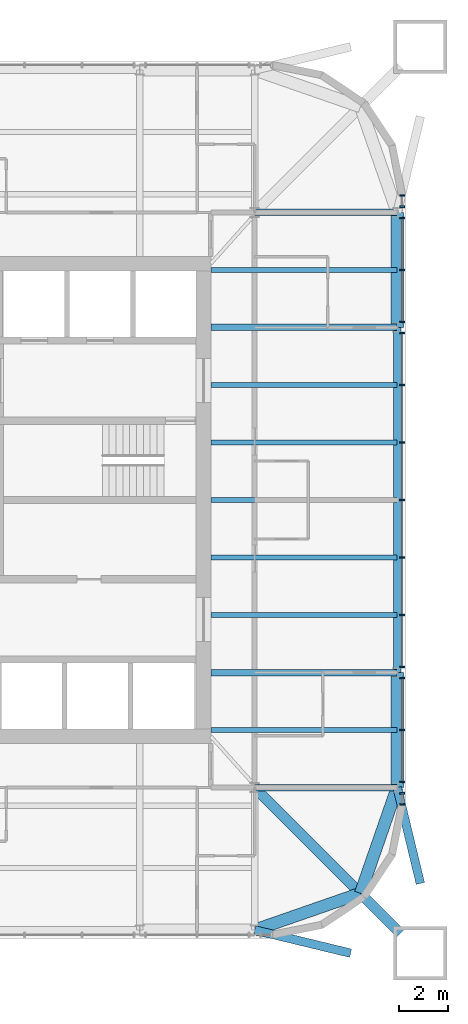
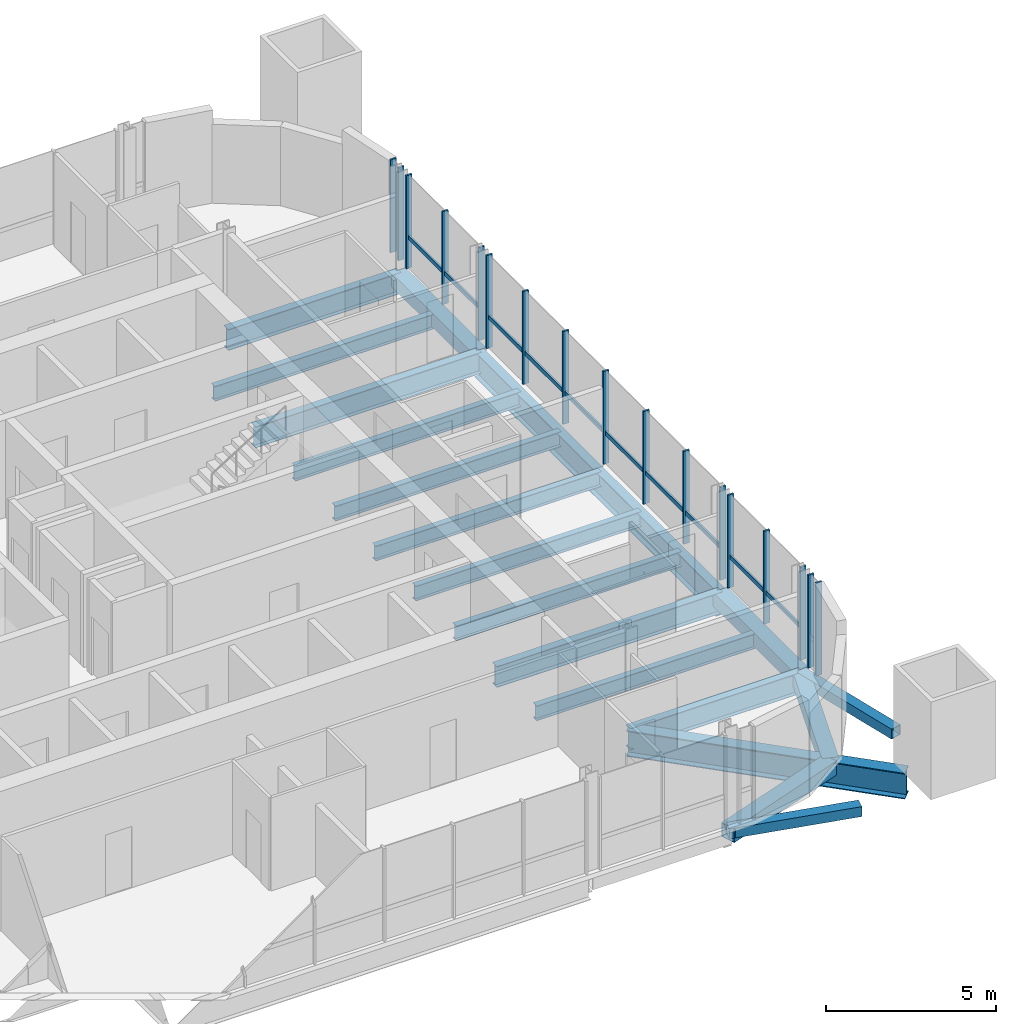
# One storey, part 4 of 16: 27 members, 19 beams, 5 elements without a shape of their own.
"""IFC4 building model written with IfcOpenShell, lengths in metres."""

import ifcopenshell
import ifcopenshell.guid

model = None  # the IFC model being written
_history = None  # IfcOwnerHistory: only IFC2X3 demands one
_inside = {}  # id of a spatial element -> (the spatial element, [elements in it])
_under = {}  # id of a project, library or spatial element -> (it, [spatial elements below it])
_declared = {}  # id of a project -> (the project, [libraries it declares])
_typed = {}  # id of a type object -> (the type object, [elements of that type])
_made_of = {}  # id of a material, layer set ... -> (it, [elements and type objects made of it])


def new_model(schema):
    """Start an empty IFC model of exactly this schema.

    Asked for "IFC4X3", IfcOpenShell would pick the latest addendum, in which some entities
    have other attributes; the version numbers below select the first issue.
    IFC2X3 requires an IfcOwnerHistory on every rooted entity: one is made here for all.
    """
    global model, _history
    if schema == "IFC4X3":
        model = ifcopenshell.file(schema_version=(4, 3, 0, 0))
    else:
        model = ifcopenshell.file(schema=schema)
    _inside.clear()
    _under.clear()
    _declared.clear()
    _typed.clear()
    _made_of.clear()
    _history = None
    if model.schema == "IFC2X3":
        org = make("IfcOrganization", Name="unknown")
        user = make(
            "IfcPersonAndOrganization",
            ThePerson=make("IfcPerson", FamilyName="unknown"),
            TheOrganization=org,
        )
        app = make(
            "IfcApplication",
            ApplicationDeveloper=org,
            Version="unknown",
            ApplicationFullName="unknown",
            ApplicationIdentifier="unknown",
        )
        _history = make(
            "IfcOwnerHistory",
            OwningUser=user,
            OwningApplication=app,
            ChangeAction="ADDED",
            CreationDate=0,
        )
    return model


def make(cls, **values):
    """One entity of the class cls with the attributes given. An attribute that is None is left unset."""
    return model.create_entity(
        cls, **{name: value for name, value in values.items() if value is not None}
    )


def rooted(cls, **values):
    """An entity with a GlobalId (a new one), such as an element, a storey or a relation."""
    return make(cls, GlobalId=ifcopenshell.guid.new(), OwnerHistory=_history, **values)


def si_unit(unit_type, name, prefix=None):
    """IfcSIUnit, for example si_unit("LENGTHUNIT", "METRE", prefix="MILLI")."""
    return make("IfcSIUnit", UnitType=unit_type, Prefix=prefix, Name=name)


def assignment(units):
    """IfcUnitAssignment: the units of a project."""
    return None if units is None else make("IfcUnitAssignment", Units=units)


def point(xyz):
    """IfcCartesianPoint."""
    return None if xyz is None else make("IfcCartesianPoint", Coordinates=xyz)


def direction(xyz):
    """IfcDirection."""
    return None if xyz is None else make("IfcDirection", DirectionRatios=xyz)


def frame(location, z_axis=None, x_axis=None):
    """IfcAxis2Placement3D, a coordinate frame: its origin and axes. An axis left out is left unset."""
    return make(
        "IfcAxis2Placement3D",
        Location=point(location),
        Axis=direction(z_axis),
        RefDirection=direction(x_axis),
    )


def frame_2d(location, x_axis=None):
    """IfcAxis2Placement2D, a coordinate frame in the plane: its origin and x axis."""
    return make(
        "IfcAxis2Placement2D", Location=point(location), RefDirection=direction(x_axis)
    )


def origin():
    """The frame at (0, 0, 0) with its axes left unset."""
    return frame((0.0, 0.0, 0.0))


def origin_2d():
    """The frame at (0, 0) in the plane with its x axis left unset."""
    return frame_2d((0.0, 0.0))


def place(relative_to, where):
    """IfcLocalPlacement: puts the frame where relative to a parent placement (None: the world)."""
    return make(
        "IfcLocalPlacement", PlacementRelTo=relative_to, RelativePlacement=where
    )


def context(
    kind, dimensions, precision=None, world=None, true_north=None, identifier=None
):
    """IfcGeometricRepresentationContext, for example the 3D "Model" context."""
    return make(
        "IfcGeometricRepresentationContext",
        ContextIdentifier=identifier,
        ContextType=kind,
        CoordinateSpaceDimension=dimensions,
        Precision=precision,
        WorldCoordinateSystem=world,
        TrueNorth=true_north,
    )


def subcontext(parent, identifier, kind, view, scale=None):
    """IfcGeometricRepresentationSubContext, for example "Body" below "Model"."""
    return make(
        "IfcGeometricRepresentationSubContext",
        ContextIdentifier=identifier,
        ContextType=kind,
        ParentContext=parent,
        TargetScale=scale,
        TargetView=view,
    )


def project(units=None, contexts=None):
    """IfcProject with its units and contexts."""
    return rooted(
        "IfcProject",
        Name="project",
        RepresentationContexts=contexts,
        UnitsInContext=assignment(units),
    )


def spatial(cls, under=None, at=None, **own):
    """A site, building, storey or space (cls), placed at a placement, below another one or the project."""
    s = rooted(cls, ObjectPlacement=at, **own)
    if under is not None:
        _under.setdefault(under.id(), (under, []))[1].append(s)
    return s


def profile(cls, at=None, kind="AREA", **sizes):
    """A parametric profile (cls). Its sizes go by their IFC names, for example OverallWidth=200.0."""
    return make(cls, ProfileType=kind, Position=at, **sizes)


def rectangle(**sizes):
    """IfcRectangleProfileDef."""
    return profile("IfcRectangleProfileDef", **sizes)


def hollow_rectangle(**sizes):
    """IfcRectangleHollowProfileDef."""
    return profile("IfcRectangleHollowProfileDef", **sizes)


def i_section(**sizes):
    """IfcIShapeProfileDef."""
    return profile("IfcIShapeProfileDef", **sizes)


def extrude(swept, where, along, depth):
    """IfcExtrudedAreaSolid: the profile swept, set in the frame where, extruded along a direction by depth."""
    return make(
        "IfcExtrudedAreaSolid",
        SweptArea=swept,
        Position=where,
        ExtrudedDirection=direction(along),
        Depth=depth,
    )


def shape(context_of_items, identifier, shape_type, items):
    """IfcShapeRepresentation: the items that make up one representation, for example the "Body"."""
    return make(
        "IfcShapeRepresentation",
        ContextOfItems=context_of_items,
        RepresentationIdentifier=identifier,
        RepresentationType=shape_type,
        Items=items,
    )


def material(Name=None, Category=None):
    """IfcMaterial."""
    return make("IfcMaterial", Name=Name, Category=Category)


def material_profile(
    of_material, cross_section, Name=None, Category=None, Priority=None
):
    """IfcMaterialProfile: a cross section and its material."""
    return make(
        "IfcMaterialProfile",
        Name=Name,
        Material=of_material,
        Profile=cross_section,
        Priority=Priority,
        Category=Category,
    )


def profile_set(profiles, Name=None, composite=None):
    """IfcMaterialProfileSet."""
    return make(
        "IfcMaterialProfileSet",
        Name=Name,
        MaterialProfiles=profiles,
        CompositeProfile=composite,
    )


def made_of(thing, what):
    """Note that an element or type object is made of a material, layer set ...; save() writes the relation."""
    if what is not None:
        _made_of.setdefault(what.id(), (what, []))[1].append(thing)
    return thing


def type_object(cls, material=None, **own):
    """A type object (cls), such as IfcWallType, which elements share."""
    return made_of(rooted(cls, **own), material)


def element(
    cls,
    number,
    at=None,
    inside=None,
    cuts=None,
    type_object=None,
    material=None,
    context=None,
    identifier="Body",
    shape_type=None,
    held_by="IfcProductDefinitionShape",
    body=None,
    shapes=None,
    **own,
):
    """One element of the class cls, such as IfcWall. Its Tag is "e" and its number.

    at: its placement. inside: the storey or other place that contains it. cuts: it is an
    opening in that element (IfcRelVoidsElement). A single representation is given by context,
    identifier, shape_type and body (its items); several are given by shapes. held_by: the class
    of the entity that holds the representations. save() writes the other relations.
    """
    e = rooted(cls, Tag="e%d" % number, ObjectPlacement=at, **own)
    if body is not None:
        shapes = [shape(context, identifier, shape_type, body)]
    if shapes is not None:
        e.Representation = make(held_by, Representations=shapes)
    if inside is not None:
        _inside.setdefault(inside.id(), (inside, []))[1].append(e)
    if cuts is not None:
        rooted(
            "IfcRelVoidsElement", RelatingBuildingElement=cuts, RelatedOpeningElement=e
        )
    if type_object is not None:
        _typed.setdefault(type_object.id(), (type_object, []))[1].append(e)
    return made_of(e, material)


def aggregate(whole, parts):
    """IfcRelAggregates: a whole, such as a stair, and the parts it consists of."""
    return rooted("IfcRelAggregates", RelatingObject=whole, RelatedObjects=parts)


def save(model, path):
    """Write the relations noted so far, then the file.

    IfcRelAggregates (storeys below a building ...), IfcRelContainedInSpatialStructure (elements
    in a storey), IfcRelDefinesByType, IfcRelAssociatesMaterial and IfcRelDeclares: one each for
    every whole, place, type object, material and project.
    """
    for whole, parts in _under.values():
        aggregate(whole, parts)
    for where, things in _inside.values():
        rooted(
            "IfcRelContainedInSpatialStructure",
            RelatedElements=things,
            RelatingStructure=where,
        )
    for kind, things in _typed.values():
        rooted("IfcRelDefinesByType", RelatedObjects=things, RelatingType=kind)
    for what, things in _made_of.values():
        rooted("IfcRelAssociatesMaterial", RelatedObjects=things, RelatingMaterial=what)
    for by, libraries in _declared.values():
        rooted("IfcRelDeclares", RelatingContext=by, RelatedDefinitions=libraries)
    model.write(path)


model = new_model("IFC4")

# Units and contexts
model_context = context("Model", 3, precision=1e-05, world=origin(), true_north=direction((0.0, 1.0)))
body_context = subcontext(model_context, "Body", "Model", "MODEL_VIEW")
ifc_project = project(units=[si_unit("LENGTHUNIT", "METRE"), si_unit("AREAUNIT", "SQUARE_METRE"), si_unit("VOLUMEUNIT", "CUBIC_METRE"), si_unit("PLANEANGLEUNIT", "RADIAN"), si_unit("MASSUNIT", "GRAM", prefix="KILO")], contexts=[model_context])

# Site, building, storey
site_placement = place(None, origin())
site = spatial("IfcSite", under=ifc_project, at=site_placement, CompositionType="ELEMENT")
building_placement = place(site_placement, origin())
building = spatial("IfcBuilding", under=site, at=building_placement, Name="Turquesa Mirador Hotel Tower", CompositionType="ELEMENT")
storey_placement = place(building_placement, frame((0.0, 0.0, 230.199951171875)))
storey = spatial("IfcBuildingStorey", under=building, at=storey_placement, Name="L62", CompositionType="ELEMENT", Elevation=230.199951171875)

# Beams
ifc_material_1 = material(Name="Steel ASTM A572 Grade 50", Category="steel")
ifc_material_profile_1 = material_profile(ifc_material_1, hollow_rectangle(XDim=0.5, YDim=0.5, WallThickness=0.01611328125, at=origin_2d()), Name="BOX500X500X16")
ifc_profile_set_1 = profile_set([ifc_material_profile_1], Name="Steel ASTM A572 Grade 50")
beam_type_1 = type_object("IfcBeamType", Name="BEAM BOX500X500X16", PredefinedType="BEAM", material=ifc_profile_set_1)
for number, where, z_axis, x_axis, name in (
    (1, (72.64990234375, 33.199951171875, -0.419921875), (0.0, 1.0, 0.0), (-1.0, 0.0, 0.0), "EB-L62-E-L"),
    (2, (72.64990234375, 52.080078125, -0.419921875), (0.0, 1.0, 0.0), (-1.0, 0.0, 0.0), "EB-L62-E-R"),
):
    element("IfcBeam", number, at=place(storey_placement, frame(where, z_axis=z_axis, x_axis=x_axis)), inside=storey, type_object=beam_type_1, Name=name, PredefinedType="BEAM", context=body_context, shape_type="SweptSolid", body=[
        extrude(hollow_rectangle(XDim=0.5, YDim=0.5, WallThickness=0.01611328125, at=origin_2d()), origin(), (0.0, 0.0, 1.0), 4.719970703125),
    ])
for number, where, z_axis, x_axis, name in (
    (3, (72.64990234375, 33.199951171875, -0.419921875), (-0.328170356092, -0.944618556552, 0.0), (0.944618556552, -0.328170356092, 0.0), "KE-L62-4-0"),
    (4, (71.1416015625, 28.8583984375, -0.419921875), (-0.944618556552, -0.328170356092, 0.0), (0.328170356092, -0.944618556552, 0.0), "KE-L62-4-1"),
):
    element("IfcBeam", number, at=place(storey_placement, frame(where, z_axis=z_axis, x_axis=x_axis)), inside=storey, type_object=beam_type_1, Name=name, PredefinedType="BEAM", context=body_context, shape_type="SweptSolid", body=[
        extrude(hollow_rectangle(XDim=0.5, YDim=0.5, WallThickness=0.01611328125, at=origin_2d()), origin(), (0.0, 0.0, 1.0), 4.59619140625),
    ])
ifc_material_2 = material(Name="Steel ASTM A992 Grade 50", Category="steel")
ifc_material_profile_2 = material_profile(ifc_material_2, i_section(OverallWidth=0.209228515625, OverallDepth=0.533447265625, WebThickness=0.01025390625, FlangeThickness=0.015625, at=origin_2d()), Name="W21X62")
ifc_profile_set_2 = profile_set([ifc_material_profile_2], Name="Steel ASTM A992 Grade 50")
beam_type_2 = type_object("IfcBeamType", Name="BEAM W21X62", PredefinedType="BEAM", material=ifc_profile_set_2)
for number, where, z_axis, x_axis, name in (
    (5, (72.64990234375, 35.56005859375, -0.436767578125), (-1.0, 0.0, 0.0), (0.0, -1.0, 0.0), "BM-L62-E--9.44"),
    (6, (72.64990234375, 40.280029296875, -0.436767578125), (-1.0, 0.0, 0.0), (0.0, -1.0, 0.0), "BM-L62-E--4.72"),
    (7, (72.64990234375, 42.639892578125, -0.436767578125), (-1.0, 0.0, 0.0), (0.0, -1.0, 0.0), "BM-L62-E--2.36"),
    (8, (72.64990234375, 45.0, -0.436767578125), (-1.0, 0.0, 0.0), (0.0, -1.0, 0.0), "BM-L62-E-+0.00"),
    (9, (72.64990234375, 47.360107421875, -0.436767578125), (-1.0, 0.0, 0.0), (0.0, -1.0, 0.0), "BM-L62-E-+2.36"),
    (10, (72.64990234375, 49.719970703125, -0.436767578125), (-1.0, 0.0, 0.0), (0.0, -1.0, 0.0), "BM-L62-E-+4.72"),
    (11, (72.64990234375, 54.43994140625, -0.436767578125), (-1.0, 0.0, 0.0), (0.0, -1.0, 0.0), "BM-L62-E-+9.44"),
):
    element("IfcBeam", number, at=place(storey_placement, frame(where, z_axis=z_axis, x_axis=x_axis)), inside=storey, type_object=beam_type_2, Name=name, PredefinedType="BEAM", context=body_context, shape_type="SweptSolid", body=[
        extrude(i_section(OverallWidth=0.209228515625, OverallDepth=0.533447265625, WebThickness=0.01025390625, FlangeThickness=0.015625, at=origin_2d()), origin(), (0.0, 0.0, 1.0), 7.64990234375),
    ])
ifc_material_3 = material(Name="Steel ASTM A992 Grade 50", Category="steel")
ifc_material_profile_3 = material_profile(ifc_material_3, i_section(OverallWidth=0.2666015625, OverallDepth=0.7568359375, WebThickness=0.013916015625, FlangeThickness=0.019287109375, at=origin_2d()), Name="W30X108")
ifc_profile_set_3 = profile_set([ifc_material_profile_3], Name="Steel ASTM A992 Grade 50")
beam_type_3 = type_object("IfcBeamType", Name="BEAM W30X108", PredefinedType="BEAM", material=ifc_profile_set_3)
for number, where, z_axis, x_axis, name in (
    (12, (72.64990234375, 37.919921875, -0.54833984375), (-1.0, 0.0, 0.0), (0.0, -1.0, 0.0), "GD-L62-E--7.08"),
    (13, (72.64990234375, 52.080078125, -0.54833984375), (-1.0, 0.0, 0.0), (0.0, -1.0, 0.0), "GD-L62-E-+7.08"),
):
    element("IfcBeam", number, at=place(storey_placement, frame(where, z_axis=z_axis, x_axis=x_axis)), inside=storey, type_object=beam_type_3, Name=name, PredefinedType="BEAM", context=body_context, shape_type="SweptSolid", body=[
        extrude(i_section(OverallWidth=0.2666015625, OverallDepth=0.7568359375, WebThickness=0.013916015625, FlangeThickness=0.019287109375, at=origin_2d()), origin(), (0.0, 0.0, 1.0), 7.64990234375),
    ])
for number, where, z_axis, x_axis, name in (
    (14, (72.64990234375, 33.199951171875, -0.54833984375), (-1.0, 0.0, 0.0), (0.0, -1.0, 0.0), "GK-L62-E--11.80"),
    (15, (72.64990234375, 56.800048828125, -0.54833984375), (-1.0, 0.0, 0.0), (0.0, -1.0, 0.0), "GK-L62-E-+11.80"),
):
    element("IfcBeam", number, at=place(storey_placement, frame(where, z_axis=z_axis, x_axis=x_axis)), inside=storey, type_object=beam_type_3, Name=name, PredefinedType="BEAM", context=body_context, shape_type="SweptSolid", body=[
        extrude(i_section(OverallWidth=0.2666015625, OverallDepth=0.7568359375, WebThickness=0.013916015625, FlangeThickness=0.019287109375, at=origin_2d()), origin(), (0.0, 0.0, 1.0), 5.849853515625),
    ])
ifc_material_4 = material(Name="Steel ASTM A992 Grade 50", Category="steel")
ifc_material_profile_4 = material_profile(ifc_material_4, i_section(OverallWidth=0.3046875, OverallDepth=0.911865234375, WebThickness=0.015869140625, FlangeThickness=0.02392578125, at=origin_2d()), Name="W36X150")
ifc_profile_set_4 = profile_set([ifc_material_profile_4], Name="Steel ASTM A992 Grade 50")
beam_type_4 = type_object("IfcBeamType", Name="BEAM W36X150", PredefinedType="BEAM", material=ifc_profile_set_4)
beam_1_placement = place(storey_placement, frame((72.64990234375, 37.919921875, -0.6259765625), z_axis=(0.0, 1.0, 0.0), x_axis=(-1.0, 0.0, 0.0)))
element("IfcBeam", 16, at=beam_1_placement, inside=storey, type_object=beam_type_4, Name="EB-L62-E-C", PredefinedType="BEAM", context=body_context, shape_type="SweptSolid", body=[
    extrude(i_section(OverallWidth=0.3046875, OverallDepth=0.911865234375, WebThickness=0.015869140625, FlangeThickness=0.02392578125, at=origin_2d()), origin(), (0.0, 0.0, 1.0), 14.16015625),
])
ifc_material_5 = material(Name="Steel ASTM A992 Grade 50", Category="steel")
ifc_material_profile_5 = material_profile(ifc_material_5, i_section(OverallWidth=0.419189453125, OverallDepth=0.927001953125, WebThickness=0.019287109375, FlangeThickness=0.031982421875, at=origin_2d()), Name="W36X231")
ifc_profile_set_5 = profile_set([ifc_material_profile_5], Name="Steel ASTM A992 Grade 50")
beam_type_5 = type_object("IfcBeamType", Name="BEAM W36X231", PredefinedType="BEAM", material=ifc_profile_set_5)
beam_2_placement = place(storey_placement, frame((66.800048828125, 33.199951171875, -0.633544921875), z_axis=(0.707106781187, -0.707106781187, 0.0), x_axis=(0.707106781187, 0.707106781187, 0.0)))
element("IfcBeam", 17, at=beam_2_placement, inside=storey, type_object=beam_type_5, Name="KD-L62-4", PredefinedType="BEAM", context=body_context, shape_type="SweptSolid", body=[
    extrude(i_section(OverallWidth=0.419189453125, OverallDepth=0.927001953125, WebThickness=0.019287109375, FlangeThickness=0.031982421875, at=origin_2d()), origin(), (0.0, 0.0, 1.0), 8.46240234375),
])
ifc_material_6 = material(Name="Steel ASTM A500 Grade C", Category="steel")
ifc_material_profile_6 = material_profile(ifc_material_6, hollow_rectangle(XDim=0.355712890625, YDim=0.355712890625, WallThickness=0.0146484375, at=origin_2d()), Name="HSS14X14X5/8")
ifc_profile_set_6 = profile_set([ifc_material_profile_6], Name="Steel ASTM A500 Grade C")
beam_type_6 = type_object("IfcBeamType", Name="BRACE STRUT HSS14X14X5/8", PredefinedType="BEAM", material=ifc_profile_set_6)
for number, where, z_axis, x_axis, name in (
    (18, (70.738525390625, 26.39990234375, -0.34765625), (-0.972108743685, 0.234530574661, 0.0), (-0.234530574661, -0.972108743685, 0.0), "Brace strut"),
    (19, (73.60009765625, 29.261474609375, -0.34765625), (-0.234530574661, 0.972108743685, 0.0), (-0.972108743685, -0.234530574661, 0.0), "Brace strut"),
):
    element("IfcBeam", number, at=place(storey_placement, frame(where, z_axis=z_axis, x_axis=x_axis)), inside=storey, type_object=beam_type_6, Name=name, PredefinedType="BEAM", context=body_context, shape_type="SweptSolid", body=[
        extrude(hollow_rectangle(XDim=0.355712890625, YDim=0.355712890625, WallThickness=0.0146484375, at=origin_2d()), origin(), (0.0, 0.0, 1.0), 4.051513671875),
    ])

# Curtain wall, members
ifc_material_7 = material(Name="Aluminium extrusion", Category="aluminium")
curtain_wall_type = type_object("IfcCurtainWallType", Name="CW-4 SUITE FRITTED CURTAIN WALL", PredefinedType="USERDEFINED", material=ifc_material_7)
curtain_wall_1_placement = place(storey_placement, origin())
curtain_wall_1 = element("IfcCurtainWall", 20, at=curtain_wall_1_placement, inside=storey, type_object=curtain_wall_type, Name="CW-4 SUITE FRITTED CURTAIN WALL L62", ObjectType="CURTAIN WALL", PredefinedType="USERDEFINED")
ifc_material_8 = material(Name="Aluminium extrusion", Category="aluminium")
ifc_material_profile_7 = material_profile(ifc_material_8, rectangle(XDim=0.06494140625, YDim=0.199951171875, at=origin_2d()), Name="MULLION 65X200")
ifc_profile_set_7 = profile_set([ifc_material_profile_7], Name="Aluminium extrusion")
member_type_1 = type_object("IfcMemberType", Name="CW MULLION 65X200", PredefinedType="MULLION", material=ifc_profile_set_7)
member_1_placement = place(storey_placement, frame((72.85009765625, 32.5, 0.0), z_axis=(0.0, 0.0, 1.0), x_axis=(0.0, 1.0, 0.0)))
member_1 = element("IfcMember", 21, at=member_1_placement, type_object=member_type_1, Name="Mullion", PredefinedType="MULLION", context=body_context, shape_type="SweptSolid", body=[
    extrude(rectangle(XDim=0.06494140625, YDim=0.199951171875, at=origin_2d()), origin(), (0.0, 0.0, 1.0), 3.330078125),
])
member_2_placement = place(storey_placement, frame((72.85009765625, 32.966064453125, 0.0), z_axis=(0.0, 0.0, 1.0), x_axis=(0.0, 1.0, 0.0)))
member_2 = element("IfcMember", 22, at=member_2_placement, type_object=member_type_1, Name="Mullion", PredefinedType="MULLION", context=body_context, shape_type="SweptSolid", body=[
    extrude(rectangle(XDim=0.06494140625, YDim=0.199951171875, at=origin_2d()), origin(), (0.0, 0.0, 1.0), 3.330078125),
])
aggregate(curtain_wall_1, [member_1, member_2])

curtain_wall_2_placement = place(storey_placement, origin())
curtain_wall_2 = element("IfcCurtainWall", 23, at=curtain_wall_2_placement, inside=storey, type_object=curtain_wall_type, Name="CW-4 SUITE FRITTED CURTAIN WALL L62", ObjectType="CURTAIN WALL", PredefinedType="USERDEFINED")
member_3_placement = place(storey_placement, frame((72.85009765625, 33.433837890625, 0.0), z_axis=(0.0, 0.0, 1.0), x_axis=(0.0, 1.0, 0.0)))
member_3 = element("IfcMember", 24, at=member_3_placement, type_object=member_type_1, Name="Mullion", PredefinedType="MULLION", context=body_context, shape_type="SweptSolid", body=[
    extrude(rectangle(XDim=0.06494140625, YDim=0.199951171875, at=origin_2d()), origin(), (0.0, 0.0, 1.0), 3.330078125),
])
member_4_placement = place(storey_placement, frame((72.85009765625, 35.56005859375, 0.0), z_axis=(0.0, 0.0, 1.0), x_axis=(0.0, 1.0, 0.0)))
member_4 = element("IfcMember", 25, at=member_4_placement, type_object=member_type_1, Name="Mullion", PredefinedType="MULLION", context=body_context, shape_type="SweptSolid", body=[
    extrude(rectangle(XDim=0.06494140625, YDim=0.199951171875, at=origin_2d()), origin(), (0.0, 0.0, 1.0), 3.330078125),
])
member_5_placement = place(storey_placement, frame((72.85009765625, 37.68603515625, 0.0), z_axis=(0.0, 0.0, 1.0), x_axis=(0.0, 1.0, 0.0)))
member_5 = element("IfcMember", 26, at=member_5_placement, type_object=member_type_1, Name="Mullion", PredefinedType="MULLION", context=body_context, shape_type="SweptSolid", body=[
    extrude(rectangle(XDim=0.06494140625, YDim=0.199951171875, at=origin_2d()), origin(), (0.0, 0.0, 1.0), 3.330078125),
])

curtain_wall_3_placement = place(storey_placement, origin())
curtain_wall_3 = element("IfcCurtainWall", 27, at=curtain_wall_3_placement, inside=storey, type_object=curtain_wall_type, Name="CW-4 SUITE FRITTED CURTAIN WALL L62", ObjectType="CURTAIN WALL", PredefinedType="USERDEFINED")
member_6_placement = place(storey_placement, frame((72.85009765625, 38.15380859375, 0.0), z_axis=(0.0, 0.0, 1.0), x_axis=(0.0, 1.0, 0.0)))
member_6 = element("IfcMember", 28, at=member_6_placement, type_object=member_type_1, Name="Mullion", PredefinedType="MULLION", context=body_context, shape_type="SweptSolid", body=[
    extrude(rectangle(XDim=0.06494140625, YDim=0.199951171875, at=origin_2d()), origin(), (0.0, 0.0, 1.0), 3.330078125),
])
member_7_placement = place(storey_placement, frame((72.85009765625, 40.280029296875, 0.0), z_axis=(0.0, 0.0, 1.0), x_axis=(0.0, 1.0, 0.0)))
member_7 = element("IfcMember", 29, at=member_7_placement, type_object=member_type_1, Name="Mullion", PredefinedType="MULLION", context=body_context, shape_type="SweptSolid", body=[
    extrude(rectangle(XDim=0.06494140625, YDim=0.199951171875, at=origin_2d()), origin(), (0.0, 0.0, 1.0), 3.330078125),
])
member_8_placement = place(storey_placement, frame((72.85009765625, 42.639892578125, 0.0), z_axis=(0.0, 0.0, 1.0), x_axis=(0.0, 1.0, 0.0)))
member_8 = element("IfcMember", 30, at=member_8_placement, type_object=member_type_1, Name="Mullion", PredefinedType="MULLION", context=body_context, shape_type="SweptSolid", body=[
    extrude(rectangle(XDim=0.06494140625, YDim=0.199951171875, at=origin_2d()), origin(), (0.0, 0.0, 1.0), 3.330078125),
])
member_9_placement = place(storey_placement, frame((72.85009765625, 45.0, 0.0), z_axis=(0.0, 0.0, 1.0), x_axis=(0.0, 1.0, 0.0)))
member_9 = element("IfcMember", 31, at=member_9_placement, type_object=member_type_1, Name="Mullion", PredefinedType="MULLION", context=body_context, shape_type="SweptSolid", body=[
    extrude(rectangle(XDim=0.06494140625, YDim=0.199951171875, at=origin_2d()), origin(), (0.0, 0.0, 1.0), 3.330078125),
])
member_10_placement = place(storey_placement, frame((72.85009765625, 47.360107421875, 0.0), z_axis=(0.0, 0.0, 1.0), x_axis=(0.0, 1.0, 0.0)))
member_10 = element("IfcMember", 32, at=member_10_placement, type_object=member_type_1, Name="Mullion", PredefinedType="MULLION", context=body_context, shape_type="SweptSolid", body=[
    extrude(rectangle(XDim=0.06494140625, YDim=0.199951171875, at=origin_2d()), origin(), (0.0, 0.0, 1.0), 3.330078125),
])
member_11_placement = place(storey_placement, frame((72.85009765625, 49.719970703125, 0.0), z_axis=(0.0, 0.0, 1.0), x_axis=(0.0, 1.0, 0.0)))
member_11 = element("IfcMember", 33, at=member_11_placement, type_object=member_type_1, Name="Mullion", PredefinedType="MULLION", context=body_context, shape_type="SweptSolid", body=[
    extrude(rectangle(XDim=0.06494140625, YDim=0.199951171875, at=origin_2d()), origin(), (0.0, 0.0, 1.0), 3.330078125),
])
member_12_placement = place(storey_placement, frame((72.85009765625, 51.84619140625, 0.0), z_axis=(0.0, 0.0, 1.0), x_axis=(0.0, 1.0, 0.0)))
member_12 = element("IfcMember", 34, at=member_12_placement, type_object=member_type_1, Name="Mullion", PredefinedType="MULLION", context=body_context, shape_type="SweptSolid", body=[
    extrude(rectangle(XDim=0.06494140625, YDim=0.199951171875, at=origin_2d()), origin(), (0.0, 0.0, 1.0), 3.330078125),
])

curtain_wall_4_placement = place(storey_placement, origin())
curtain_wall_4 = element("IfcCurtainWall", 35, at=curtain_wall_4_placement, inside=storey, type_object=curtain_wall_type, Name="CW-4 SUITE FRITTED CURTAIN WALL L62", ObjectType="CURTAIN WALL", PredefinedType="USERDEFINED")
member_13_placement = place(storey_placement, frame((72.85009765625, 52.31396484375, 0.0), z_axis=(0.0, 0.0, 1.0), x_axis=(0.0, 1.0, 0.0)))
member_13 = element("IfcMember", 36, at=member_13_placement, type_object=member_type_1, Name="Mullion", PredefinedType="MULLION", context=body_context, shape_type="SweptSolid", body=[
    extrude(rectangle(XDim=0.06494140625, YDim=0.199951171875, at=origin_2d()), origin(), (0.0, 0.0, 1.0), 3.330078125),
])
member_14_placement = place(storey_placement, frame((72.85009765625, 54.43994140625, 0.0), z_axis=(0.0, 0.0, 1.0), x_axis=(0.0, 1.0, 0.0)))
member_14 = element("IfcMember", 37, at=member_14_placement, type_object=member_type_1, Name="Mullion", PredefinedType="MULLION", context=body_context, shape_type="SweptSolid", body=[
    extrude(rectangle(XDim=0.06494140625, YDim=0.199951171875, at=origin_2d()), origin(), (0.0, 0.0, 1.0), 3.330078125),
])
member_15_placement = place(storey_placement, frame((72.85009765625, 56.566162109375, 0.0), z_axis=(0.0, 0.0, 1.0), x_axis=(0.0, 1.0, 0.0)))
member_15 = element("IfcMember", 38, at=member_15_placement, type_object=member_type_1, Name="Mullion", PredefinedType="MULLION", context=body_context, shape_type="SweptSolid", body=[
    extrude(rectangle(XDim=0.06494140625, YDim=0.199951171875, at=origin_2d()), origin(), (0.0, 0.0, 1.0), 3.330078125),
])

curtain_wall_5_placement = place(storey_placement, origin())
curtain_wall_5 = element("IfcCurtainWall", 39, at=curtain_wall_5_placement, inside=storey, type_object=curtain_wall_type, Name="CW-4 SUITE FRITTED CURTAIN WALL L62", ObjectType="CURTAIN WALL", PredefinedType="USERDEFINED")
member_16_placement = place(storey_placement, frame((72.85009765625, 57.033935546875, 0.0), z_axis=(0.0, 0.0, 1.0), x_axis=(0.0, 1.0, 0.0)))
member_16 = element("IfcMember", 40, at=member_16_placement, type_object=member_type_1, Name="Mullion", PredefinedType="MULLION", context=body_context, shape_type="SweptSolid", body=[
    extrude(rectangle(XDim=0.06494140625, YDim=0.199951171875, at=origin_2d()), origin(), (0.0, 0.0, 1.0), 3.330078125),
])
member_17_placement = place(storey_placement, frame((72.85009765625, 57.5, 0.0), z_axis=(0.0, 0.0, 1.0), x_axis=(0.0, 1.0, 0.0)))
member_17 = element("IfcMember", 41, at=member_17_placement, type_object=member_type_1, Name="Mullion", PredefinedType="MULLION", context=body_context, shape_type="SweptSolid", body=[
    extrude(rectangle(XDim=0.06494140625, YDim=0.199951171875, at=origin_2d()), origin(), (0.0, 0.0, 1.0), 3.330078125),
])
aggregate(curtain_wall_5, [member_16, member_17])

# Member
ifc_material_9 = material(Name="Aluminium extrusion", Category="aluminium")
ifc_material_profile_8 = material_profile(ifc_material_9, rectangle(XDim=0.06494140625, YDim=0.14990234375, at=origin_2d()), Name="TRANSOM 65X150")
ifc_profile_set_8 = profile_set([ifc_material_profile_8], Name="Aluminium extrusion")
member_type_2 = type_object("IfcMemberType", Name="CW TRANSOM 65X150", PredefinedType="USERDEFINED", material=ifc_profile_set_8)
member_18_placement = place(storey_placement, frame((72.85009765625, 33.46630859375, 1.10009765625), z_axis=(0.0, 1.0, 0.0), x_axis=(-1.0, 0.0, 0.0)))
member_18 = element("IfcMember", 42, at=member_18_placement, type_object=member_type_2, Name="Transom", ObjectType="TRANSOM", PredefinedType="USERDEFINED", context=body_context, shape_type="SweptSolid", body=[
    extrude(rectangle(XDim=0.06494140625, YDim=0.14990234375, at=origin_2d()), origin(), (0.0, 0.0, 1.0), 2.061279296875),
])

member_19_placement = place(storey_placement, frame((72.85009765625, 35.592529296875, 1.10009765625), z_axis=(0.0, 1.0, 0.0), x_axis=(-1.0, 0.0, 0.0)))
member_19 = element("IfcMember", 43, at=member_19_placement, type_object=member_type_2, Name="Transom", ObjectType="TRANSOM", PredefinedType="USERDEFINED", context=body_context, shape_type="SweptSolid", body=[
    extrude(rectangle(XDim=0.06494140625, YDim=0.14990234375, at=origin_2d()), origin(), (0.0, 0.0, 1.0), 2.06103515625),
])

aggregate(curtain_wall_2, [member_3, member_4, member_5, member_18, member_19])

member_20_placement = place(storey_placement, frame((72.85009765625, 38.186279296875, 1.10009765625), z_axis=(0.0, 1.0, 0.0), x_axis=(-1.0, 0.0, 0.0)))
member_20 = element("IfcMember", 44, at=member_20_placement, type_object=member_type_2, Name="Transom", ObjectType="TRANSOM", PredefinedType="USERDEFINED", context=body_context, shape_type="SweptSolid", body=[
    extrude(rectangle(XDim=0.06494140625, YDim=0.14990234375, at=origin_2d()), origin(), (0.0, 0.0, 1.0), 2.061279296875),
])

member_21_placement = place(storey_placement, frame((72.85009765625, 40.3125, 1.10009765625), z_axis=(0.0, 1.0, 0.0), x_axis=(-1.0, 0.0, 0.0)))
member_21 = element("IfcMember", 45, at=member_21_placement, type_object=member_type_2, Name="Transom", ObjectType="TRANSOM", PredefinedType="USERDEFINED", context=body_context, shape_type="SweptSolid", body=[
    extrude(rectangle(XDim=0.06494140625, YDim=0.14990234375, at=origin_2d()), origin(), (0.0, 0.0, 1.0), 2.294921875),
])

member_22_placement = place(storey_placement, frame((72.85009765625, 42.672607421875, 1.10009765625), z_axis=(0.0, 1.0, 0.0), x_axis=(-1.0, 0.0, 0.0)))
member_22 = element("IfcMember", 46, at=member_22_placement, type_object=member_type_2, Name="Transom", ObjectType="TRANSOM", PredefinedType="USERDEFINED", context=body_context, shape_type="SweptSolid", body=[
    extrude(rectangle(XDim=0.06494140625, YDim=0.14990234375, at=origin_2d()), origin(), (0.0, 0.0, 1.0), 2.294921875),
])

member_23_placement = place(storey_placement, frame((72.85009765625, 45.032470703125, 1.10009765625), z_axis=(0.0, 1.0, 0.0), x_axis=(-1.0, 0.0, 0.0)))
member_23 = element("IfcMember", 47, at=member_23_placement, type_object=member_type_2, Name="Transom", ObjectType="TRANSOM", PredefinedType="USERDEFINED", context=body_context, shape_type="SweptSolid", body=[
    extrude(rectangle(XDim=0.06494140625, YDim=0.14990234375, at=origin_2d()), origin(), (0.0, 0.0, 1.0), 2.294921875),
])

member_24_placement = place(storey_placement, frame((72.85009765625, 47.392578125, 1.10009765625), z_axis=(0.0, 1.0, 0.0), x_axis=(-1.0, 0.0, 0.0)))
member_24 = element("IfcMember", 48, at=member_24_placement, type_object=member_type_2, Name="Transom", ObjectType="TRANSOM", PredefinedType="USERDEFINED", context=body_context, shape_type="SweptSolid", body=[
    extrude(rectangle(XDim=0.06494140625, YDim=0.14990234375, at=origin_2d()), origin(), (0.0, 0.0, 1.0), 2.294921875),
])

member_25_placement = place(storey_placement, frame((72.85009765625, 49.75244140625, 1.10009765625), z_axis=(0.0, 1.0, 0.0), x_axis=(-1.0, 0.0, 0.0)))
member_25 = element("IfcMember", 49, at=member_25_placement, type_object=member_type_2, Name="Transom", ObjectType="TRANSOM", PredefinedType="USERDEFINED", context=body_context, shape_type="SweptSolid", body=[
    extrude(rectangle(XDim=0.06494140625, YDim=0.14990234375, at=origin_2d()), origin(), (0.0, 0.0, 1.0), 2.061279296875),
])

aggregate(curtain_wall_3, [member_6, member_7, member_8, member_9, member_10, member_11, member_12, member_20, member_21, member_22, member_23, member_24, member_25])

member_26_placement = place(storey_placement, frame((72.85009765625, 52.346435546875, 1.10009765625), z_axis=(0.0, 1.0, 0.0), x_axis=(-1.0, 0.0, 0.0)))
member_26 = element("IfcMember", 50, at=member_26_placement, type_object=member_type_2, Name="Transom", ObjectType="TRANSOM", PredefinedType="USERDEFINED", context=body_context, shape_type="SweptSolid", body=[
    extrude(rectangle(XDim=0.06494140625, YDim=0.14990234375, at=origin_2d()), origin(), (0.0, 0.0, 1.0), 2.06103515625),
])

member_27_placement = place(storey_placement, frame((72.85009765625, 54.472412109375, 1.10009765625), z_axis=(0.0, 1.0, 0.0), x_axis=(-1.0, 0.0, 0.0)))
member_27 = element("IfcMember", 51, at=member_27_placement, type_object=member_type_2, Name="Transom", ObjectType="TRANSOM", PredefinedType="USERDEFINED", context=body_context, shape_type="SweptSolid", body=[
    extrude(rectangle(XDim=0.06494140625, YDim=0.14990234375, at=origin_2d()), origin(), (0.0, 0.0, 1.0), 2.061279296875),
])

aggregate(curtain_wall_4, [member_13, member_14, member_15, member_26, member_27])

save(model, "model.ifc")
